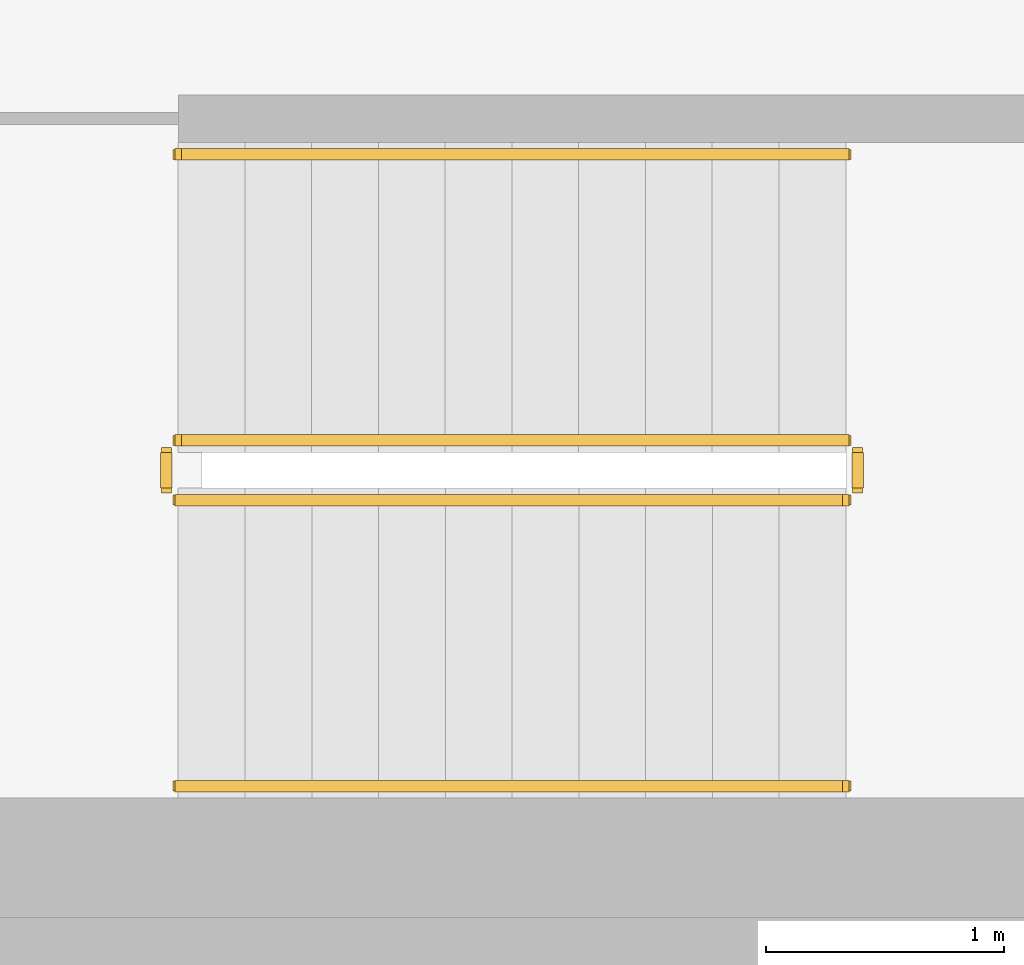
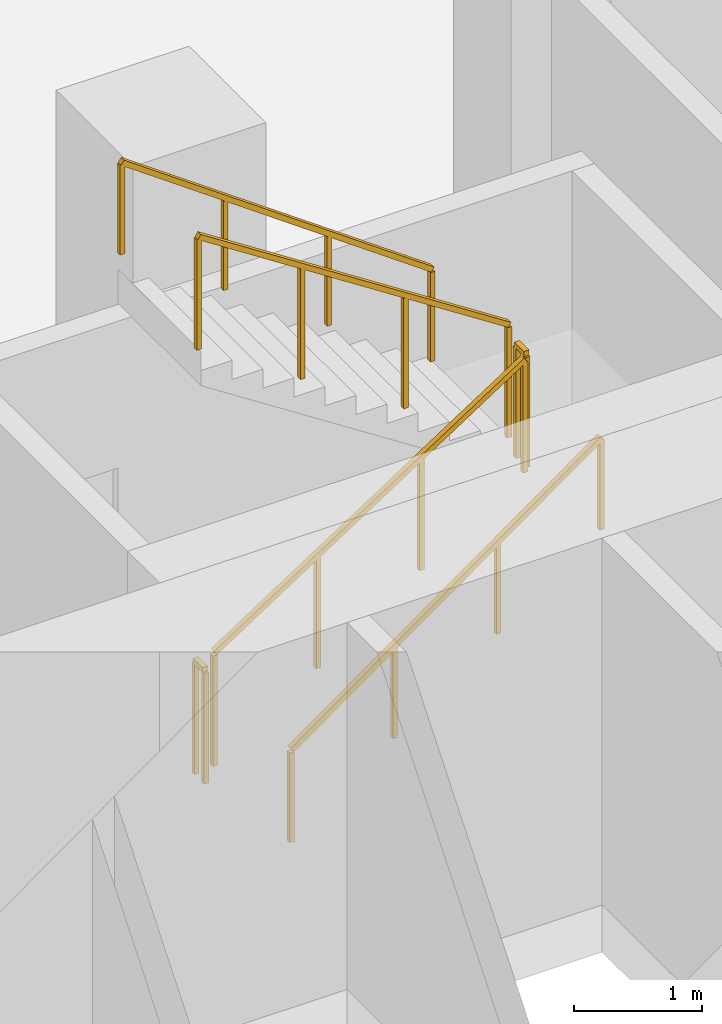
# One storey, part 42 of 45: 6 railings.
"""IFC4 building model written with IfcOpenShell, lengths in metres."""

from ifc_helpers import new_model, si_unit, direction, frame, origin, origin_2d, place, context, subcontext, project, spatial, rectangle, extrude, material, type_object, element, save


model = new_model("IFC4")

# Units and contexts
model_context = context("Model", 3, precision=1e-05, world=origin(), true_north=direction((0.0, 1.0)))
body_context = subcontext(model_context, "Body", "Model", "MODEL_VIEW")
ifc_project = project(units=[si_unit("LENGTHUNIT", "METRE"), si_unit("AREAUNIT", "SQUARE_METRE"), si_unit("VOLUMEUNIT", "CUBIC_METRE"), si_unit("PLANEANGLEUNIT", "RADIAN"), si_unit("MASSUNIT", "GRAM", prefix="KILO")], contexts=[model_context])

# Site, building, storey
site_placement = place(None, origin())
site = spatial("IfcSite", under=ifc_project, at=site_placement, CompositionType="ELEMENT")
building_placement = place(site_placement, origin())
building = spatial("IfcBuilding", under=site, at=building_placement, Name="Beryl Residences", CompositionType="ELEMENT")
storey_placement = place(building_placement, frame((0.0, 0.0, 5.0)))
storey = spatial("IfcBuildingStorey", under=building, at=storey_placement, Name="L01", CompositionType="ELEMENT", Elevation=5.0)

# Railings
ifc_material_1 = material(Name="Stainless steel balustrade with glass infill", Category="steel")
railing_type_1 = type_object("IfcRailingType", Name="SG1 stair guard 1100 mm", PredefinedType="GUARDRAIL", material=ifc_material_1)
railing_1_placement = place(storey_placement, frame((-1.39990234375, -3.25, 0.181884765625)))
element("IfcRailing", 1, at=railing_1_placement, inside=storey, type_object=railing_type_1, Name="L01 ST-4 stair guard 1", PredefinedType="GUARDRAIL", context=body_context, shape_type="SweptSolid", body=[
    extrude(rectangle(XDim=0.048095703125, YDim=0.048095703125, at=origin_2d()), frame((0.0, 0.0, 1.076171875), z_axis=(0.83868413941, 0.0, 0.544618136222), x_axis=(0.0, 1.0, 0.0)), (0.0, 0.0, 1.0), 3.33837890625),
    extrude(rectangle(XDim=0.0419921875, YDim=0.0419921875, at=origin_2d()), origin(), (0.0, 0.0, 1.0), 1.052001953125),
    extrude(rectangle(XDim=0.0419921875, YDim=0.0419921875, at=origin_2d()), frame((0.933349609375, 0.0, 0.60595703125)), (0.0, 0.0, 1.0), 1.052001953125),
    extrude(rectangle(XDim=0.0419921875, YDim=0.0419921875, at=origin_2d()), frame((1.866455078125, 0.0, 1.212158203125)), (0.0, 0.0, 1.0), 1.052001953125),
    extrude(rectangle(XDim=0.0419921875, YDim=0.0419921875, at=origin_2d()), frame((2.7998046875, 0.0, 1.818115234375)), (0.0, 0.0, 1.0), 1.052001953125),
])
railing_2_placement = place(storey_placement, frame((1.449951171875, -3.199951171875, 2.0)))
element("IfcRailing", 2, at=railing_2_placement, inside=storey, type_object=railing_type_1, Name="L01 ST-4 stair guard 2", PredefinedType="GUARDRAIL", context=body_context, shape_type="SweptSolid", body=[
    extrude(rectangle(XDim=0.048095703125, YDim=0.048095703125, at=origin_2d()), frame((0.0, 0.0, 1.076171875), z_axis=(0.0, 1.0, 0.0), x_axis=(-1.0, 0.0, 0.0)), (0.0, 0.0, 1.0), 0.14990234375),
    extrude(rectangle(XDim=0.0419921875, YDim=0.0419921875, at=origin_2d()), origin(), (0.0, 0.0, 1.0), 1.052001953125),
    extrude(rectangle(XDim=0.0419921875, YDim=0.0419921875, at=origin_2d()), frame((0.0, 0.14990234375, 0.0)), (0.0, 0.0, 1.0), 1.052001953125),
])
railing_3_placement = place(storey_placement, frame((1.39990234375, -3.0, 2.181884765625)))
element("IfcRailing", 3, at=railing_3_placement, inside=storey, type_object=railing_type_1, Name="L01 ST-4 stair guard 3", PredefinedType="GUARDRAIL", context=body_context, shape_type="SweptSolid", body=[
    extrude(rectangle(XDim=0.048095703125, YDim=0.048095703125, at=origin_2d()), frame((0.0, 0.0, 1.076171875), z_axis=(-0.83868413941, 0.0, 0.544618136222), x_axis=(0.0, -1.0, 0.0)), (0.0, 0.0, 1.0), 3.33837890625),
    extrude(rectangle(XDim=0.0419921875, YDim=0.0419921875, at=origin_2d()), origin(), (0.0, 0.0, 1.0), 1.052001953125),
    extrude(rectangle(XDim=0.0419921875, YDim=0.0419921875, at=origin_2d()), frame((-0.933349609375, 0.0, 0.60595703125)), (0.0, 0.0, 1.0), 1.052001953125),
    extrude(rectangle(XDim=0.0419921875, YDim=0.0419921875, at=origin_2d()), frame((-1.866455078125, 0.0, 1.212158203125)), (0.0, 0.0, 1.0), 1.052001953125),
    extrude(rectangle(XDim=0.0419921875, YDim=0.0419921875, at=origin_2d()), frame((-2.7998046875, 0.0, 1.818115234375)), (0.0, 0.0, 1.0), 1.052001953125),
])
railing_4_placement = place(storey_placement, frame((-1.449951171875, -3.199951171875, 0.0)))
element("IfcRailing", 4, at=railing_4_placement, inside=storey, type_object=railing_type_1, Name="L01 ST-4 stair guard 4", PredefinedType="GUARDRAIL", context=body_context, shape_type="SweptSolid", body=[
    extrude(rectangle(XDim=0.048095703125, YDim=0.048095703125, at=origin_2d()), frame((0.0, 0.0, 1.076171875), z_axis=(0.0, 1.0, 0.0), x_axis=(-1.0, 0.0, 0.0)), (0.0, 0.0, 1.0), 0.14990234375),
    extrude(rectangle(XDim=0.0419921875, YDim=0.0419921875, at=origin_2d()), origin(), (0.0, 0.0, 1.0), 1.052001953125),
    extrude(rectangle(XDim=0.0419921875, YDim=0.0419921875, at=origin_2d()), frame((0.0, 0.14990234375, 0.0)), (0.0, 0.0, 1.0), 1.052001953125),
])
ifc_material_2 = material(Name="Stainless steel handrail", Category="steel")
railing_type_2 = type_object("IfcRailingType", Name="SRL1 stair handrail 900 mm", PredefinedType="HANDRAIL", material=ifc_material_2)
railing_5_placement = place(storey_placement, frame((-1.39990234375, -4.449951171875, 0.181884765625)))
element("IfcRailing", 5, at=railing_5_placement, inside=storey, type_object=railing_type_2, Name="L01 ST-4 stair handrail 1", PredefinedType="HANDRAIL", context=body_context, shape_type="SweptSolid", body=[
    extrude(rectangle(XDim=0.048095703125, YDim=0.048095703125, at=origin_2d()), frame((0.0, 0.0, 0.8759765625), z_axis=(0.813714293681, 0.0, 0.581265041318), x_axis=(0.0, 1.0, 0.0)), (0.0, 0.0, 1.0), 3.440673828125),
    extrude(rectangle(XDim=0.0419921875, YDim=0.0419921875, at=origin_2d()), origin(), (0.0, 0.0, 1.0), 0.851806640625),
    extrude(rectangle(XDim=0.0419921875, YDim=0.0419921875, at=origin_2d()), frame((0.933349609375, 0.0, 0.666748046875)), (0.0, 0.0, 1.0), 0.851806640625),
    extrude(rectangle(XDim=0.0419921875, YDim=0.0419921875, at=origin_2d()), frame((1.866455078125, 0.0, 1.333251953125)), (0.0, 0.0, 1.0), 0.851806640625),
    extrude(rectangle(XDim=0.0419921875, YDim=0.0419921875, at=origin_2d()), frame((2.7998046875, 0.0, 2.0)), (0.0, 0.0, 1.0), 0.851806640625),
])
railing_6_placement = place(storey_placement, frame((1.39990234375, -1.800048828125, 2.181884765625)))
element("IfcRailing", 6, at=railing_6_placement, inside=storey, type_object=railing_type_2, Name="L01 ST-4 stair handrail 2", PredefinedType="HANDRAIL", context=body_context, shape_type="SweptSolid", body=[
    extrude(rectangle(XDim=0.048095703125, YDim=0.048095703125, at=origin_2d()), frame((0.0, 0.0, 0.8759765625), z_axis=(-0.813714293681, 0.0, 0.581265041318), x_axis=(0.0, -1.0, 0.0)), (0.0, 0.0, 1.0), 3.440673828125),
    extrude(rectangle(XDim=0.0419921875, YDim=0.0419921875, at=origin_2d()), origin(), (0.0, 0.0, 1.0), 0.851806640625),
    extrude(rectangle(XDim=0.0419921875, YDim=0.0419921875, at=origin_2d()), frame((-0.933349609375, 0.0, 0.666748046875)), (0.0, 0.0, 1.0), 0.851806640625),
    extrude(rectangle(XDim=0.0419921875, YDim=0.0419921875, at=origin_2d()), frame((-1.866455078125, 0.0, 1.333251953125)), (0.0, 0.0, 1.0), 0.851806640625),
    extrude(rectangle(XDim=0.0419921875, YDim=0.0419921875, at=origin_2d()), frame((-2.7998046875, 0.0, 2.0)), (0.0, 0.0, 1.0), 0.851806640625),
])

save(model, "model.ifc")
